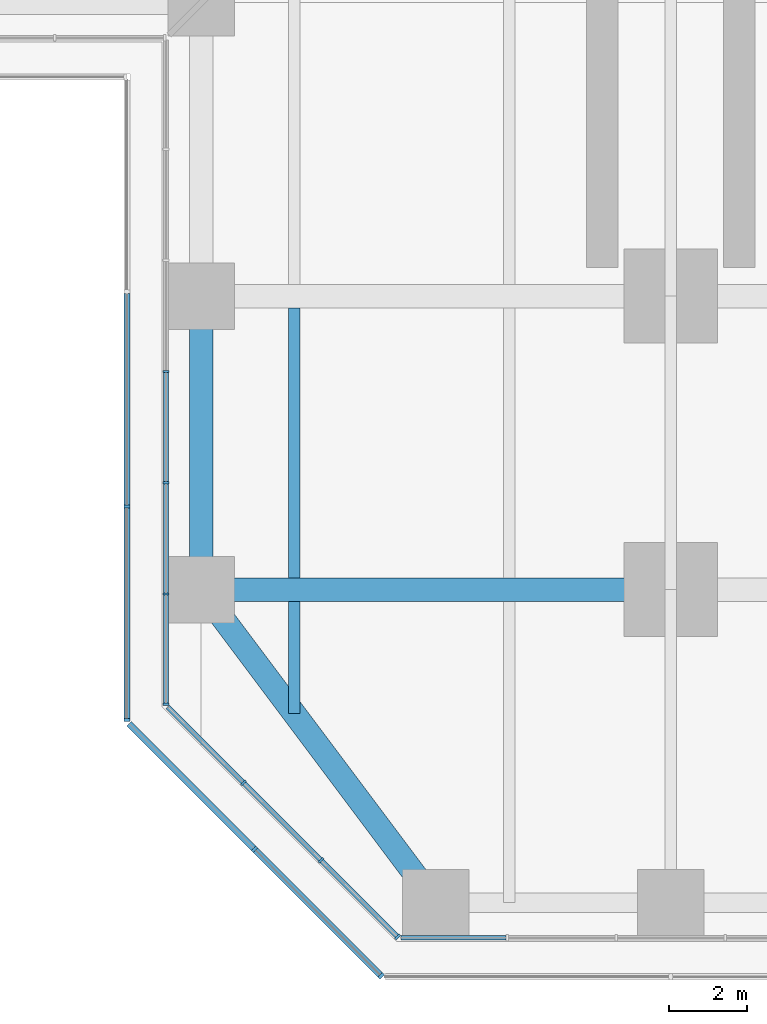
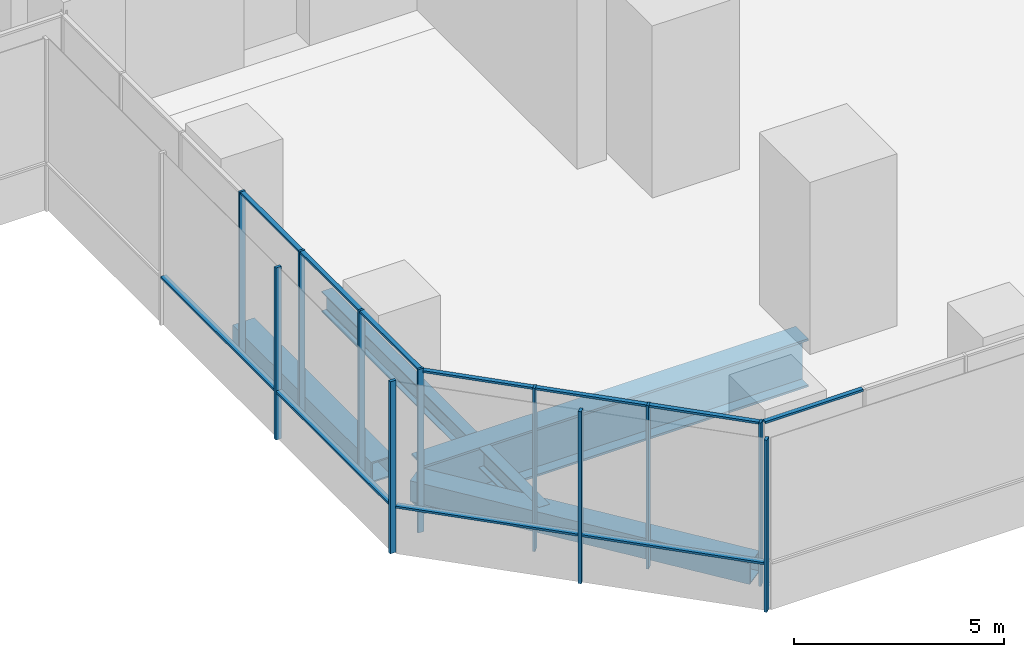
# One storey, part 2 of 23: 22 members, 5 beams, 5 elements without a shape of their own.
"""IFC4 building model written with IfcOpenShell, lengths in metres."""

from ifc_helpers import new_model, si_unit, direction, frame, origin, origin_2d, place, context, subcontext, project, spatial, rectangle, hollow_rectangle, i_section, extrude, material, material_profile, profile_set, type_object, element, aggregate, save


model = new_model("IFC4")

# Units and contexts
model_context = context("Model", 3, precision=1e-05, world=origin(), true_north=direction((0.0, 1.0)))
body_context = subcontext(model_context, "Body", "Model", "MODEL_VIEW")
ifc_project = project(units=[si_unit("LENGTHUNIT", "METRE"), si_unit("AREAUNIT", "SQUARE_METRE"), si_unit("VOLUMEUNIT", "CUBIC_METRE"), si_unit("PLANEANGLEUNIT", "RADIAN"), si_unit("MASSUNIT", "GRAM", prefix="KILO")], contexts=[model_context])

# Site, building, storey
site_placement = place(None, origin())
site = spatial("IfcSite", under=ifc_project, at=site_placement, CompositionType="ELEMENT")
building_placement = place(site_placement, origin())
building = spatial("IfcBuilding", under=site, at=building_placement, Name="Mizan Broadcast Tower", CompositionType="ELEMENT")
storey_placement = place(building_placement, frame((0.0, 0.0, 28.0)))
storey = spatial("IfcBuildingStorey", under=building, at=storey_placement, Name="L04", CompositionType="ELEMENT", Elevation=28.0)

# Beams
ifc_material_1 = material(Name="Steel S355", Category="steel")
ifc_material_profile_1 = material_profile(ifc_material_1, hollow_rectangle(XDim=0.60009765625, YDim=0.60009765625, WallThickness=0.030029296875, at=origin_2d()), Name="BOX 600x600x30")
ifc_profile_set_1 = profile_set([ifc_material_profile_1], Name="Steel S355")
beam_type_1 = type_object("IfcBeamType", Name="EDGE BEAM BOX 600x600x30", PredefinedType="SPANDREL", material=ifc_profile_set_1)
beam_1_placement = place(storey_placement, frame((-11.639892578125, -27.47998046875, -0.550048828125), z_axis=(0.599982243973, -0.800013316712, 0.0), x_axis=(0.800013316712, 0.599982243973, 0.0)))
element("IfcBeam", 1, at=beam_1_placement, inside=storey, type_object=beam_type_1, Name="Edge beam BOX 600x600x30 L04 south arm", PredefinedType="SPANDREL", context=body_context, shape_type="SweptSolid", body=[
    extrude(hollow_rectangle(XDim=0.60009765625, YDim=0.60009765625, WallThickness=0.030029296875, at=origin_2d()), origin(), (0.0, 0.0, 1.0), 8.7998046875),
])
ifc_material_2 = material(Name="Steel S355", Category="steel")
ifc_material_profile_2 = material_profile(ifc_material_2, hollow_rectangle(XDim=0.60009765625, YDim=0.60009765625, WallThickness=0.0400390625, at=origin_2d()), Name="BOX 600x600x40")
ifc_profile_set_2 = profile_set([ifc_material_profile_2], Name="Steel S355")
beam_type_2 = type_object("IfcBeamType", Name="EDGE BEAM BOX 600x600x40", PredefinedType="SPANDREL", material=ifc_profile_set_2)
beam_2_placement = place(storey_placement, frame((-12.0, -19.949951171875, -0.550048828125), z_axis=(0.0, -1.0, 0.0), x_axis=(1.0, 0.0, 0.0)))
element("IfcBeam", 2, at=beam_2_placement, inside=storey, type_object=beam_type_2, Name="Edge beam BOX 600x600x40 L04 south arm", PredefinedType="SPANDREL", context=body_context, shape_type="SweptSolid", body=[
    extrude(hollow_rectangle(XDim=0.60009765625, YDim=0.60009765625, WallThickness=0.0400390625, at=origin_2d()), origin(), (0.0, 0.0, 1.0), 6.60009765625),
])
ifc_material_3 = material(Name="Steel S460", Category="steel")
ifc_material_profile_3 = material_profile(ifc_material_3, i_section(OverallWidth=0.60009765625, OverallDepth=1.39990234375, WebThickness=0.02490234375, FlangeThickness=0.06005859375, at=origin_2d()), Name="WPG 1400x600")
ifc_profile_set_3 = profile_set([ifc_material_profile_3], Name="Steel S460")
beam_type_3 = type_object("IfcBeamType", Name="GIRDER WPG 1400x600", PredefinedType="BEAM", material=ifc_profile_set_3)
beam_3_placement = place(storey_placement, frame((-11.280029296875, -27.0, -0.949951171875), z_axis=(1.0, 0.0, 0.0), x_axis=(0.0, 1.0, 0.0)))
element("IfcBeam", 3, at=beam_3_placement, inside=storey, type_object=beam_type_3, Name="Girder WPG 1400x600 L04 south arm", PredefinedType="BEAM", context=body_context, shape_type="SweptSolid", body=[
    extrude(i_section(OverallWidth=0.60009765625, OverallDepth=1.39990234375, WebThickness=0.02490234375, FlangeThickness=0.06005859375, at=origin_2d()), origin(), (0.0, 0.0, 1.0), 10.56005859375),
])

# Curtain wall, members
ifc_material_4 = material(Name="Aluminium framed glazing", Category="aluminium")
curtain_wall_type_1 = type_object("IfcCurtainWallType", Name="PODIUM CURTAIN WALL", PredefinedType="USERDEFINED", material=ifc_material_4)
curtain_wall_1_placement = place(storey_placement, origin())
curtain_wall_1 = element("IfcCurtainWall", 4, at=curtain_wall_1_placement, inside=storey, type_object=curtain_wall_type_1, Name="Podium curtain wall L04 S side", ObjectType="PODIUM CURTAIN WALL", PredefinedType="USERDEFINED")
ifc_material_5 = material(Name="Aluminium, pale anodised", Category="aluminium")
ifc_material_profile_4 = material_profile(ifc_material_5, rectangle(XDim=0.159912109375, YDim=0.06005859375, at=origin_2d()), Name="MULLION 160x60")
ifc_profile_set_4 = profile_set([ifc_material_profile_4], Name="Aluminium, pale anodised")
member_type_1 = type_object("IfcMemberType", Name="INNER SKIN MULLION 60x160", PredefinedType="MULLION", material=ifc_profile_set_4)
member_1_placement = place(storey_placement, frame((-12.89990234375, -21.42919921875, 0.0), z_axis=(0.0, 0.0, 1.0), x_axis=(1.0, 0.0, 0.0)))
member_1 = element("IfcMember", 5, at=member_1_placement, type_object=member_type_1, Name="Podium curtain wall L04 S side mullion 4", PredefinedType="MULLION", context=body_context, shape_type="SweptSolid", body=[
    extrude(rectangle(XDim=0.159912109375, YDim=0.06005859375, at=origin_2d()), origin(), (0.0, 0.0, 1.0), 4.75),
])
member_2_placement = place(storey_placement, frame((-12.89990234375, -24.2724609375, 0.0), z_axis=(0.0, 0.0, 1.0), x_axis=(1.0, 0.0, 0.0)))
member_2 = element("IfcMember", 6, at=member_2_placement, type_object=member_type_1, Name="Podium curtain wall L04 S side mullion 5", PredefinedType="MULLION", context=body_context, shape_type="SweptSolid", body=[
    extrude(rectangle(XDim=0.159912109375, YDim=0.06005859375, at=origin_2d()), origin(), (0.0, 0.0, 1.0), 4.75),
])
member_3_placement = place(storey_placement, frame((-12.89990234375, -27.115478515625, 0.0), z_axis=(0.0, 0.0, 1.0), x_axis=(1.0, 0.0, 0.0)))
member_3 = element("IfcMember", 7, at=member_3_placement, type_object=member_type_1, Name="Podium curtain wall L04 S side mullion 6", PredefinedType="MULLION", context=body_context, shape_type="SweptSolid", body=[
    extrude(rectangle(XDim=0.159912109375, YDim=0.06005859375, at=origin_2d()), origin(), (0.0, 0.0, 1.0), 4.75),
])
member_4_placement = place(storey_placement, frame((-12.89990234375, -29.928466796875, 0.0), z_axis=(0.0, 0.0, 1.0), x_axis=(1.0, 0.0, 0.0)))
member_4 = element("IfcMember", 8, at=member_4_placement, type_object=member_type_1, Name="Podium curtain wall L04 S side mullion 7", PredefinedType="MULLION", context=body_context, shape_type="SweptSolid", body=[
    extrude(rectangle(XDim=0.159912109375, YDim=0.06005859375, at=origin_2d()), origin(), (0.0, 0.0, 1.0), 4.75),
])

curtain_wall_2_placement = place(storey_placement, origin())
curtain_wall_2 = element("IfcCurtainWall", 9, at=curtain_wall_2_placement, inside=storey, type_object=curtain_wall_type_1, Name="Podium curtain wall L04 S chamfer", ObjectType="PODIUM CURTAIN WALL", PredefinedType="USERDEFINED")
member_5_placement = place(storey_placement, frame((-10.91943359375, -31.93896484375, 0.0), z_axis=(0.0, 0.0, 1.0), x_axis=(0.707106781187, 0.707106781187, 0.0)))
member_5 = element("IfcMember", 10, at=member_5_placement, type_object=member_type_1, Name="Podium curtain wall L04 S chamfer mullion 2", PredefinedType="MULLION", context=body_context, shape_type="SweptSolid", body=[
    extrude(rectangle(XDim=0.159912109375, YDim=0.06005859375, at=origin_2d()), origin(), (0.0, 0.0, 1.0), 4.75),
])
member_6_placement = place(storey_placement, frame((-8.93896484375, -33.91943359375, 0.0), z_axis=(0.0, 0.0, 1.0), x_axis=(0.707106781187, 0.707106781187, 0.0)))
member_6 = element("IfcMember", 11, at=member_6_placement, type_object=member_type_1, Name="Podium curtain wall L04 S chamfer mullion 3", PredefinedType="MULLION", context=body_context, shape_type="SweptSolid", body=[
    extrude(rectangle(XDim=0.159912109375, YDim=0.06005859375, at=origin_2d()), origin(), (0.0, 0.0, 1.0), 4.75),
])
member_7_placement = place(storey_placement, frame((-6.979736328125, -35.87890625, 0.0), z_axis=(0.0, 0.0, 1.0), x_axis=(0.707106781187, 0.707106781187, 0.0)))
member_7 = element("IfcMember", 12, at=member_7_placement, type_object=member_type_1, Name="Podium curtain wall L04 S chamfer mullion 4", PredefinedType="MULLION", context=body_context, shape_type="SweptSolid", body=[
    extrude(rectangle(XDim=0.159912109375, YDim=0.06005859375, at=origin_2d()), origin(), (0.0, 0.0, 1.0), 4.75),
])

# Member
ifc_material_6 = material(Name="Aluminium, pale anodised", Category="aluminium")
ifc_material_profile_5 = material_profile(ifc_material_6, rectangle(XDim=0.1201171875, YDim=0.06005859375, at=origin_2d()), Name="TRANSOM 120x60")
ifc_profile_set_5 = profile_set([ifc_material_profile_5], Name="Aluminium, pale anodised")
member_type_2 = type_object("IfcMemberType", Name="INNER SKIN TRANSOM 60x120", PredefinedType="USERDEFINED", material=ifc_profile_set_5)
member_8_placement = place(storey_placement, frame((-12.89990234375, -21.459228515625, 4.719970703125), z_axis=(0.0, -1.0, 0.0), x_axis=(1.0, 0.0, 0.0)))
member_8 = element("IfcMember", 13, at=member_8_placement, type_object=member_type_2, Name="Podium curtain wall L04 S side transom 4.1", ObjectType="TRANSOM", PredefinedType="USERDEFINED", context=body_context, shape_type="SweptSolid", body=[
    extrude(rectangle(XDim=0.1201171875, YDim=0.06005859375, at=origin_2d()), origin(), (0.0, 0.0, 1.0), 2.783203125),
])

member_9_placement = place(storey_placement, frame((-12.89990234375, -24.302490234375, 4.719970703125), z_axis=(0.0, -1.0, 0.0), x_axis=(1.0, 0.0, 0.0)))
member_9 = element("IfcMember", 14, at=member_9_placement, type_object=member_type_2, Name="Podium curtain wall L04 S side transom 5.1", ObjectType="TRANSOM", PredefinedType="USERDEFINED", context=body_context, shape_type="SweptSolid", body=[
    extrude(rectangle(XDim=0.1201171875, YDim=0.06005859375, at=origin_2d()), origin(), (0.0, 0.0, 1.0), 2.782958984375),
])

member_10_placement = place(storey_placement, frame((-12.89990234375, -27.1455078125, 4.719970703125), z_axis=(0.0, -1.0, 0.0), x_axis=(1.0, 0.0, 0.0)))
member_10 = element("IfcMember", 15, at=member_10_placement, type_object=member_type_2, Name="Podium curtain wall L04 S side transom 6.1", ObjectType="TRANSOM", PredefinedType="USERDEFINED", context=body_context, shape_type="SweptSolid", body=[
    extrude(rectangle(XDim=0.1201171875, YDim=0.06005859375, at=origin_2d()), origin(), (0.0, 0.0, 1.0), 2.753173828125),
])

aggregate(curtain_wall_1, [member_1, member_2, member_3, member_4, member_8, member_9, member_10])

member_11_placement = place(storey_placement, frame((-12.857666015625, -30.0009765625, 4.719970703125), z_axis=(0.707151809797, -0.707061749709, 0.0), x_axis=(0.707061749709, 0.707151809797, 0.0)))
member_11 = element("IfcMember", 16, at=member_11_placement, type_object=member_type_2, Name="Podium curtain wall L04 S chamfer transom 1.1", ObjectType="TRANSOM", PredefinedType="USERDEFINED", context=body_context, shape_type="SweptSolid", body=[
    extrude(rectangle(XDim=0.1201171875, YDim=0.06005859375, at=origin_2d()), origin(), (0.0, 0.0, 1.0), 2.7109375),
])

member_12_placement = place(storey_placement, frame((-10.898193359375, -31.960205078125, 4.719970703125), z_axis=(0.707106781187, -0.707106781187, 0.0), x_axis=(0.707106781187, 0.707106781187, 0.0)))
member_12 = element("IfcMember", 17, at=member_12_placement, type_object=member_type_2, Name="Podium curtain wall L04 S chamfer transom 2.1", ObjectType="TRANSOM", PredefinedType="USERDEFINED", context=body_context, shape_type="SweptSolid", body=[
    extrude(rectangle(XDim=0.1201171875, YDim=0.06005859375, at=origin_2d()), origin(), (0.0, 0.0, 1.0), 2.74072265625),
])

member_13_placement = place(storey_placement, frame((-8.917724609375, -33.940673828125, 4.719970703125), z_axis=(0.707061749709, -0.707151809797, 0.0), x_axis=(0.707151809797, 0.707061749709, 0.0)))
member_13 = element("IfcMember", 18, at=member_13_placement, type_object=member_type_2, Name="Podium curtain wall L04 S chamfer transom 3.1", ObjectType="TRANSOM", PredefinedType="USERDEFINED", context=body_context, shape_type="SweptSolid", body=[
    extrude(rectangle(XDim=0.1201171875, YDim=0.06005859375, at=origin_2d()), origin(), (0.0, 0.0, 1.0), 2.7109375),
])

aggregate(curtain_wall_2, [member_5, member_6, member_7, member_11, member_12, member_13])

# Curtain wall, member
curtain_wall_3_placement = place(storey_placement, origin())
curtain_wall_3 = element("IfcCurtainWall", 19, at=curtain_wall_3_placement, inside=storey, type_object=curtain_wall_type_1, Name="Podium curtain wall L04 S end", ObjectType="PODIUM CURTAIN WALL", PredefinedType="USERDEFINED")
member_14_placement = place(storey_placement, frame((-6.898681640625, -35.89990234375, 4.719970703125), z_axis=(1.0, 0.0, 0.0), x_axis=(0.0, 1.0, 0.0)))
member_14 = element("IfcMember", 20, at=member_14_placement, type_object=member_type_2, Name="Podium curtain wall L04 S end transom 1.1", ObjectType="TRANSOM", PredefinedType="USERDEFINED", context=body_context, shape_type="SweptSolid", body=[
    extrude(rectangle(XDim=0.1201171875, YDim=0.06005859375, at=origin_2d()), origin(), (0.0, 0.0, 1.0), 2.693603515625),
])
aggregate(curtain_wall_3, [member_14])

# Curtain wall, members
ifc_material_7 = material(Name="Aluminium framed glazing", Category="aluminium")
curtain_wall_type_2 = type_object("IfcCurtainWallType", Name="OUTER SKIN", PredefinedType="USERDEFINED", material=ifc_material_7)
curtain_wall_4_placement = place(storey_placement, origin())
curtain_wall_4 = element("IfcCurtainWall", 21, at=curtain_wall_4_placement, inside=storey, type_object=curtain_wall_type_2, Name="Outer skin L04 S side", ObjectType="OUTER SKIN", PredefinedType="USERDEFINED")
ifc_material_8 = material(Name="Aluminium, pale anodised", Category="aluminium")
ifc_material_profile_6 = material_profile(ifc_material_8, rectangle(XDim=0.159912109375, YDim=0.080078125, at=origin_2d()), Name="MULLION 160x80")
ifc_profile_set_6 = profile_set([ifc_material_profile_6], Name="Aluminium, pale anodised")
member_type_3 = type_object("IfcMemberType", Name="OUTER SKIN MULLION 80x160", PredefinedType="MULLION", material=ifc_profile_set_6)
member_15_placement = place(storey_placement, frame((-13.89990234375, -24.8818359375, 0.0), z_axis=(0.0, 0.0, 1.0), x_axis=(1.0, 0.0, 0.0)))
member_15 = element("IfcMember", 22, at=member_15_placement, type_object=member_type_3, Name="Outer skin L04 S side mullion 3", PredefinedType="MULLION", context=body_context, shape_type="SweptSolid", body=[
    extrude(rectangle(XDim=0.159912109375, YDim=0.080078125, at=origin_2d()), origin(), (0.0, 0.0, 1.0), 5.0),
])
member_16_placement = place(storey_placement, frame((-13.89990234375, -30.332763671875, 0.0), z_axis=(0.0, 0.0, 1.0), x_axis=(1.0, 0.0, 0.0)))
member_16 = element("IfcMember", 23, at=member_16_placement, type_object=member_type_3, Name="Outer skin L04 S side mullion 4", PredefinedType="MULLION", context=body_context, shape_type="SweptSolid", body=[
    extrude(rectangle(XDim=0.159912109375, YDim=0.080078125, at=origin_2d()), origin(), (0.0, 0.0, 1.0), 5.0),
])

curtain_wall_5_placement = place(storey_placement, origin())
curtain_wall_5 = element("IfcCurtainWall", 24, at=curtain_wall_5_placement, inside=storey, type_object=curtain_wall_type_2, Name="Outer skin L04 S chamfer", ObjectType="OUTER SKIN", PredefinedType="USERDEFINED")
member_17_placement = place(storey_placement, frame((-10.636474609375, -33.636474609375, 0.0), z_axis=(0.0, 0.0, 1.0), x_axis=(0.707106781187, 0.707106781187, 0.0)))
member_17 = element("IfcMember", 25, at=member_17_placement, type_object=member_type_3, Name="Outer skin L04 S chamfer mullion 2", PredefinedType="MULLION", context=body_context, shape_type="SweptSolid", body=[
    extrude(rectangle(XDim=0.159912109375, YDim=0.080078125, at=origin_2d()), origin(), (0.0, 0.0, 1.0), 5.0),
])
member_18_placement = place(storey_placement, frame((-7.401123046875, -36.871826171875, 0.0), z_axis=(0.0, 0.0, 1.0), x_axis=(0.707106781187, 0.707106781187, 0.0)))
member_18 = element("IfcMember", 26, at=member_18_placement, type_object=member_type_3, Name="Outer skin L04 S chamfer mullion 3", PredefinedType="MULLION", context=body_context, shape_type="SweptSolid", body=[
    extrude(rectangle(XDim=0.159912109375, YDim=0.080078125, at=origin_2d()), origin(), (0.0, 0.0, 1.0), 5.0),
])

# Member
ifc_material_9 = material(Name="Aluminium, pale anodised", Category="aluminium")
ifc_material_profile_7 = material_profile(ifc_material_9, rectangle(XDim=0.159912109375, YDim=0.06005859375, at=origin_2d()), Name="TRANSOM 160x60")
ifc_profile_set_7 = profile_set([ifc_material_profile_7], Name="Aluminium, pale anodised")
member_type_4 = type_object("IfcMemberType", Name="OUTER SKIN TRANSOM 60x160", PredefinedType="USERDEFINED", material=ifc_profile_set_7)
member_19_placement = place(storey_placement, frame((-13.89990234375, -19.430908203125, 1.39990234375), z_axis=(0.0, -1.0, 0.0), x_axis=(1.0, 0.0, 0.0)))
member_19 = element("IfcMember", 27, at=member_19_placement, type_object=member_type_4, Name="Outer skin L04 S side transom 2.1", ObjectType="TRANSOM", PredefinedType="USERDEFINED", context=body_context, shape_type="SweptSolid", body=[
    extrude(rectangle(XDim=0.159912109375, YDim=0.06005859375, at=origin_2d()), origin(), (0.0, 0.0, 1.0), 5.410888671875),
])

member_20_placement = place(storey_placement, frame((-13.89990234375, -24.921875, 1.39990234375), z_axis=(0.0, -1.0, 0.0), x_axis=(1.0, 0.0, 0.0)))
member_20 = element("IfcMember", 28, at=member_20_placement, type_object=member_type_4, Name="Outer skin L04 S side transom 3.1", ObjectType="TRANSOM", PredefinedType="USERDEFINED", context=body_context, shape_type="SweptSolid", body=[
    extrude(rectangle(XDim=0.159912109375, YDim=0.06005859375, at=origin_2d()), origin(), (0.0, 0.0, 1.0), 5.370849609375),
])

aggregate(curtain_wall_4, [member_15, member_16, member_19, member_20])

member_21_placement = place(storey_placement, frame((-13.843505859375, -30.429443359375, 1.39990234375), z_axis=(0.707106781187, -0.707106781187, 0.0), x_axis=(0.707106781187, 0.707106781187, 0.0)))
member_21 = element("IfcMember", 29, at=member_21_placement, type_object=member_type_4, Name="Outer skin L04 S chamfer transom 1.1", ObjectType="TRANSOM", PredefinedType="USERDEFINED", context=body_context, shape_type="SweptSolid", body=[
    extrude(rectangle(XDim=0.159912109375, YDim=0.06005859375, at=origin_2d()), origin(), (0.0, 0.0, 1.0), 4.495361328125),
])

member_22_placement = place(storey_placement, frame((-10.608154296875, -33.664794921875, 1.39990234375), z_axis=(0.707106781187, -0.707106781187, 0.0), x_axis=(0.707106781187, 0.707106781187, 0.0)))
member_22 = element("IfcMember", 30, at=member_22_placement, type_object=member_type_4, Name="Outer skin L04 S chamfer transom 2.1", ObjectType="TRANSOM", PredefinedType="USERDEFINED", context=body_context, shape_type="SweptSolid", body=[
    extrude(rectangle(XDim=0.159912109375, YDim=0.06005859375, at=origin_2d()), origin(), (0.0, 0.0, 1.0), 4.495361328125),
])

aggregate(curtain_wall_5, [member_17, member_18, member_21, member_22])

# Beams
ifc_material_10 = material(Name="Steel S355", Category="steel")
ifc_material_profile_8 = material_profile(ifc_material_10, i_section(OverallWidth=0.300048828125, OverallDepth=0.590087890625, WebThickness=0.012939453125, FlangeThickness=0.02490234375, FilletRadius=0.027099609375, at=origin_2d()), Name="HEA 600")
ifc_profile_set_8 = profile_set([ifc_material_profile_8], Name="Steel S355")
beam_type_4 = type_object("IfcBeamType", Name="SECONDARY BEAM HEA 600", PredefinedType="JOIST", material=ifc_profile_set_8)
beam_4_placement = place(storey_placement, frame((-9.625, -19.800048828125, -0.544921875), z_axis=(0.0, -1.0, 0.0), x_axis=(1.0, 0.0, 0.0)))
element("IfcBeam", 31, at=beam_4_placement, inside=storey, type_object=beam_type_4, Name="Secondary beam HEA 600 L04 south arm", PredefinedType="JOIST", context=body_context, shape_type="SweptSolid", body=[
    extrude(i_section(OverallWidth=0.300048828125, OverallDepth=0.590087890625, WebThickness=0.012939453125, FlangeThickness=0.02490234375, FilletRadius=0.027099609375, at=origin_2d()), origin(), (0.0, 0.0, 1.0), 6.89990234375),
])
beam_5_placement = place(storey_placement, frame((-9.625, -27.300048828125, -0.544921875), z_axis=(0.0, -1.0, 0.0), x_axis=(1.0, 0.0, 0.0)))
element("IfcBeam", 32, at=beam_5_placement, inside=storey, type_object=beam_type_4, Name="Secondary beam HEA 600 L04 south arm", PredefinedType="JOIST", context=body_context, shape_type="SweptSolid", body=[
    extrude(i_section(OverallWidth=0.300048828125, OverallDepth=0.590087890625, WebThickness=0.012939453125, FlangeThickness=0.02490234375, FilletRadius=0.027099609375, at=origin_2d()), origin(), (0.0, 0.0, 1.0), 2.86669921875),
])

save(model, "model.ifc")
